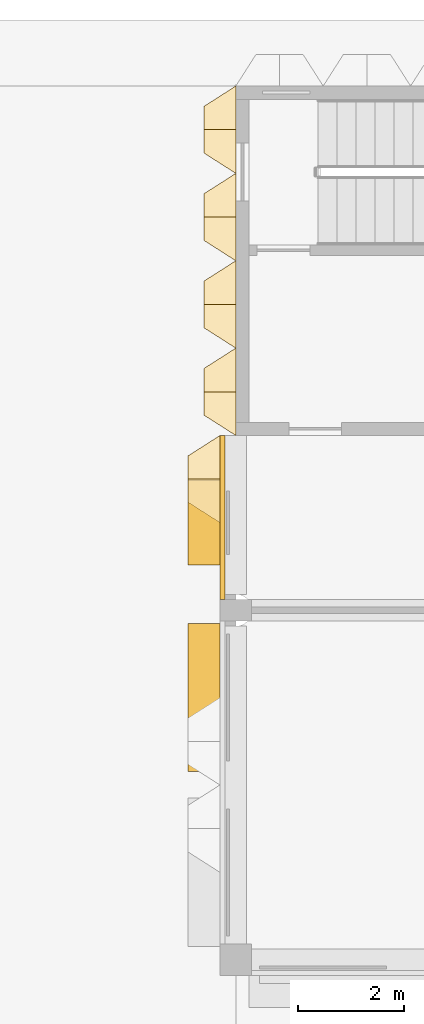
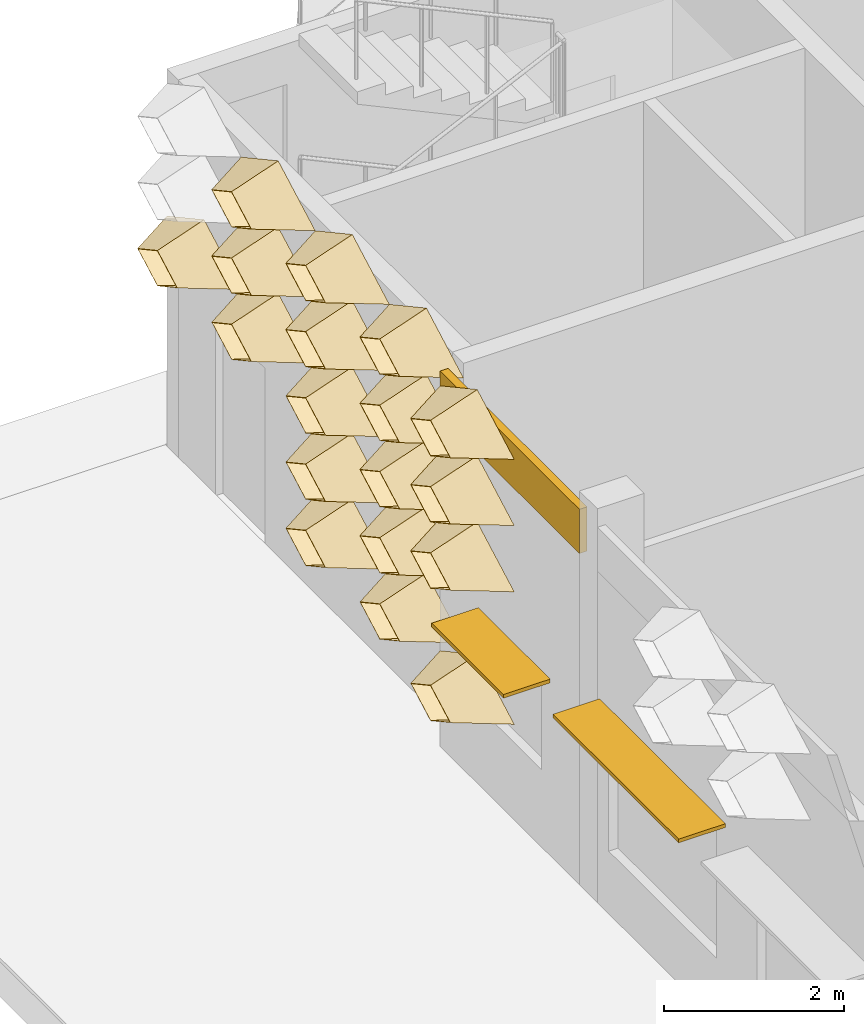
# One storey, part 73 of 85: 19 coverings, 2 shading devices.
"""IFC4 building model written with IfcOpenShell, lengths in metres."""

from ifc_helpers import new_model, entity, si_unit, direction, frame, frame_2d, origin, origin_2d, place, context, subcontext, project, spatial, rectangle, extrude, material, layer, layer_set, type_object, element, save


model = new_model("IFC4")

# Units and contexts
model_context = context("Model", 3, precision=1e-05, world=origin(), true_north=direction((0.0, 1.0)))
body_context = subcontext(model_context, "Body", "Model", "MODEL_VIEW")
ifc_project = project(units=[si_unit("LENGTHUNIT", "METRE"), si_unit("AREAUNIT", "SQUARE_METRE"), si_unit("VOLUMEUNIT", "CUBIC_METRE"), si_unit("PLANEANGLEUNIT", "RADIAN"), si_unit("MASSUNIT", "GRAM", prefix="KILO")], contexts=[model_context])

# Site, building, storey
site_placement = place(None, origin())
site = spatial("IfcSite", under=ifc_project, at=site_placement, CompositionType="ELEMENT")
building_placement = place(site_placement, origin())
building = spatial("IfcBuilding", under=site, at=building_placement, Name="Lantern Court Research Institute", CompositionType="ELEMENT")
storey_placement = place(building_placement, origin())
storey = spatial("IfcBuildingStorey", under=building, at=storey_placement, Name="L00", CompositionType="ELEMENT", Elevation=0.0)

# Shading devices
ifc_material_1 = material(Name="Aluminium alloy 6063-T6", Category="aluminium")
ifc_layer_1 = layer(ifc_material_1, 0.050048828125)
ifc_layer_set_1 = layer_set([ifc_layer_1], Name="Aluminium alloy 6063-T6")
shading_device_type_1 = type_object("IfcShadingDeviceType", Name="Brise-soleil blade 1600 x 600 x 50 aluminium", PredefinedType="USERDEFINED", material=ifc_layer_set_1)
shading_device_1_placement = place(storey_placement, frame((-0.60009765625, 90.75, 2.39990234375), z_axis=(0.0, 0.0, 1.0), x_axis=(0.0, 1.0, 0.0)))
element("IfcShadingDevice", 1, at=shading_device_1_placement, inside=storey, type_object=shading_device_type_1, Name="Brise-soleil blade L00 W", ObjectType="LOUVRE", PredefinedType="USERDEFINED", context=body_context, shape_type="SweptSolid", body=[
    extrude(rectangle(XDim=1.60009765625, YDim=0.60009765625, at=origin_2d()), origin(), (0.0, 0.0, 1.0), 0.050048828125),
])
ifc_material_2 = material(Name="Aluminium alloy 6063-T6", Category="aluminium")
ifc_layer_2 = layer(ifc_material_2, 0.050048828125)
ifc_layer_set_2 = layer_set([ifc_layer_2], Name="Aluminium alloy 6063-T6")
shading_device_type_2 = type_object("IfcShadingDeviceType", Name="Brise-soleil blade 2800 x 600 x 50 aluminium", PredefinedType="USERDEFINED", material=ifc_layer_set_2)
shading_device_2_placement = place(storey_placement, frame((-0.60009765625, 87.449951171875, 2.7998046875), z_axis=(0.0, 0.0, 1.0), x_axis=(0.0, 1.0, 0.0)))
element("IfcShadingDevice", 2, at=shading_device_2_placement, inside=storey, type_object=shading_device_type_2, Name="Brise-soleil blade L00 W", ObjectType="LOUVRE", PredefinedType="USERDEFINED", context=body_context, shape_type="SweptSolid", body=[
    extrude(rectangle(XDim=2.800048828125, YDim=0.60009765625, at=origin_2d()), origin(), (0.0, 0.0, 1.0), 0.050048828125),
])

# Coverings
ifc_material_3 = material(Name="Aluminium composite panel with mineral wool insulation", Category="aluminium")
ifc_layer_3 = layer(ifc_material_3, 0.10009765625)
ifc_layer_set_3 = layer_set([ifc_layer_3], Name="Aluminium composite panel with mineral wool insulation")
covering_type_1 = type_object("IfcCoveringType", Name="Edge fascia panel 100 aluminium faced", PredefinedType="CLADDING", material=ifc_layer_set_3)
covering_1_placement = place(storey_placement, frame((-0.25, 89.300048828125, 4.550048828125), z_axis=(0.0, 0.0, 1.0), x_axis=(0.0, 1.0, 0.0)))
element("IfcCovering", 3, at=covering_1_placement, inside=storey, type_object=covering_type_1, Name="Edge fascia V6W L00 02", PredefinedType="CLADDING", context=body_context, shape_type="SweptSolid", body=[
    extrude(rectangle(XDim=3.099853515625, YDim=0.10009765625, at=frame_2d((1.5498046875, 0.0))), origin(), (0.0, 0.0, 1.0), 0.599853515625),
])
ifc_material_4 = material(Name="Anodised aluminium", Category="aluminium")
ifc_layer_4 = layer(ifc_material_4, 0.01611328125)
ifc_layer_set_4 = layer_set([ifc_layer_4], Name="Anodised aluminium")
covering_type_2 = type_object("IfcCoveringType", Name="Fin cassette 1650 x 900 x 600 aluminium", PredefinedType="CLADDING", material=ifc_layer_set_4)
covering_2_placement = place(storey_placement, frame((0.0, 93.22509765625, 1.35009765625), z_axis=(-1.0, 0.0, 0.0), x_axis=(0.0, -1.0, 0.0)))
cartesian_point_1 = entity("IfcCartesianPoint", [0.824951171875, 0.0])
cartesian_point_2 = entity("IfcCartesianPoint", [0.79150390625, 0.0])
cartesian_point_3 = entity("IfcCartesianPoint", [0.44189453125, 0.0])
cartesian_point_4 = entity("IfcCartesianPoint", [0.43359375, 0.0])
element("IfcCovering", 4, at=covering_2_placement, inside=storey, type_object=covering_type_2, Name="Fin cassette V6W-L00 2.57", PredefinedType="CLADDING", context=body_context, shape_type="SweptSolid", body=[
    entity("IfcExtrudedAreaSolidTapered", entity("IfcArbitraryProfileDefWithVoids", "AREA", None, entity("IfcPolyline", [cartesian_point_1, entity("IfcCartesianPoint", [0.0, 0.449951171875]), entity("IfcCartesianPoint", [-0.824951171875, 0.0]), entity("IfcCartesianPoint", [0.0, -0.449951171875]), cartesian_point_1]), [entity("IfcPolyline", [cartesian_point_2, entity("IfcCartesianPoint", [0.0, 0.431884765625]), entity("IfcCartesianPoint", [-0.79150390625, 0.0]), entity("IfcCartesianPoint", [0.0, -0.431884765625]), cartesian_point_2])]), entity("IfcAxis2Placement3D", entity("IfcCartesianPoint", [0.0, 0.0, 0.0])), entity("IfcDirection", [0.0, 0.0, 1.0]), 0.60009765625, entity("IfcArbitraryProfileDefWithVoids", "AREA", None, entity("IfcPolyline", [cartesian_point_3, entity("IfcCartesianPoint", [0.0, 0.240966796875]), entity("IfcCartesianPoint", [-0.44189453125, 0.0]), entity("IfcCartesianPoint", [0.0, -0.240966796875]), cartesian_point_3]), [entity("IfcPolyline", [cartesian_point_4, entity("IfcCartesianPoint", [0.0, 0.236572265625]), entity("IfcCartesianPoint", [-0.43359375, 0.0]), entity("IfcCartesianPoint", [0.0, -0.236572265625]), cartesian_point_4])])),
])
covering_3_placement = place(storey_placement, frame((0.0, 94.875, 1.35009765625), z_axis=(-1.0, 0.0, 0.0), x_axis=(0.0, -1.0, 0.0)))
cartesian_point_5 = entity("IfcCartesianPoint", [0.824951171875, 0.0])
cartesian_point_6 = entity("IfcCartesianPoint", [0.79150390625, 0.0])
cartesian_point_7 = entity("IfcCartesianPoint", [0.44189453125, 0.0])
cartesian_point_8 = entity("IfcCartesianPoint", [0.43359375, 0.0])
element("IfcCovering", 5, at=covering_3_placement, inside=storey, type_object=covering_type_2, Name="Fin cassette V6W-L00 2.58", PredefinedType="CLADDING", context=body_context, shape_type="SweptSolid", body=[
    entity("IfcExtrudedAreaSolidTapered", entity("IfcArbitraryProfileDefWithVoids", "AREA", None, entity("IfcPolyline", [cartesian_point_5, entity("IfcCartesianPoint", [0.0, 0.449951171875]), entity("IfcCartesianPoint", [-0.824951171875, 0.0]), entity("IfcCartesianPoint", [0.0, -0.449951171875]), cartesian_point_5]), [entity("IfcPolyline", [cartesian_point_6, entity("IfcCartesianPoint", [0.0, 0.431884765625]), entity("IfcCartesianPoint", [-0.79150390625, 0.0]), entity("IfcCartesianPoint", [0.0, -0.431884765625]), cartesian_point_6])]), entity("IfcAxis2Placement3D", entity("IfcCartesianPoint", [0.0, 0.0, 0.0])), entity("IfcDirection", [0.0, 0.0, 1.0]), 0.60009765625, entity("IfcArbitraryProfileDefWithVoids", "AREA", None, entity("IfcPolyline", [cartesian_point_7, entity("IfcCartesianPoint", [0.0, 0.240966796875]), entity("IfcCartesianPoint", [-0.44189453125, 0.0]), entity("IfcCartesianPoint", [0.0, -0.240966796875]), cartesian_point_7]), [entity("IfcPolyline", [cartesian_point_8, entity("IfcCartesianPoint", [0.0, 0.236572265625]), entity("IfcCartesianPoint", [-0.43359375, 0.0]), entity("IfcCartesianPoint", [0.0, -0.236572265625]), cartesian_point_8])])),
])
covering_4_placement = place(storey_placement, frame((0.0, 93.22509765625, 2.25), z_axis=(-1.0, 0.0, 0.0), x_axis=(0.0, -1.0, 0.0)))
cartesian_point_9 = entity("IfcCartesianPoint", [0.824951171875, 0.0])
cartesian_point_10 = entity("IfcCartesianPoint", [0.79150390625, 0.0])
cartesian_point_11 = entity("IfcCartesianPoint", [0.44189453125, 0.0])
cartesian_point_12 = entity("IfcCartesianPoint", [0.43359375, 0.0])
element("IfcCovering", 6, at=covering_4_placement, inside=storey, type_object=covering_type_2, Name="Fin cassette V6W-L00 3.57", PredefinedType="CLADDING", context=body_context, shape_type="SweptSolid", body=[
    entity("IfcExtrudedAreaSolidTapered", entity("IfcArbitraryProfileDefWithVoids", "AREA", None, entity("IfcPolyline", [cartesian_point_9, entity("IfcCartesianPoint", [0.0, 0.449951171875]), entity("IfcCartesianPoint", [-0.824951171875, 0.0]), entity("IfcCartesianPoint", [0.0, -0.449951171875]), cartesian_point_9]), [entity("IfcPolyline", [cartesian_point_10, entity("IfcCartesianPoint", [0.0, 0.431884765625]), entity("IfcCartesianPoint", [-0.79150390625, 0.0]), entity("IfcCartesianPoint", [0.0, -0.431884765625]), cartesian_point_10])]), entity("IfcAxis2Placement3D", entity("IfcCartesianPoint", [0.0, 0.0, 0.0])), entity("IfcDirection", [0.0, 0.0, 1.0]), 0.60009765625, entity("IfcArbitraryProfileDefWithVoids", "AREA", None, entity("IfcPolyline", [cartesian_point_11, entity("IfcCartesianPoint", [0.0, 0.240966796875]), entity("IfcCartesianPoint", [-0.44189453125, 0.0]), entity("IfcCartesianPoint", [0.0, -0.240966796875]), cartesian_point_11]), [entity("IfcPolyline", [cartesian_point_12, entity("IfcCartesianPoint", [0.0, 0.236572265625]), entity("IfcCartesianPoint", [-0.43359375, 0.0]), entity("IfcCartesianPoint", [0.0, -0.236572265625]), cartesian_point_12])])),
])
covering_5_placement = place(storey_placement, frame((0.0, 94.875, 2.25), z_axis=(-1.0, 0.0, 0.0), x_axis=(0.0, -1.0, 0.0)))
cartesian_point_13 = entity("IfcCartesianPoint", [0.824951171875, 0.0])
cartesian_point_14 = entity("IfcCartesianPoint", [0.79150390625, 0.0])
cartesian_point_15 = entity("IfcCartesianPoint", [0.44189453125, 0.0])
cartesian_point_16 = entity("IfcCartesianPoint", [0.43359375, 0.0])
element("IfcCovering", 7, at=covering_5_placement, inside=storey, type_object=covering_type_2, Name="Fin cassette V6W-L00 3.58", PredefinedType="CLADDING", context=body_context, shape_type="SweptSolid", body=[
    entity("IfcExtrudedAreaSolidTapered", entity("IfcArbitraryProfileDefWithVoids", "AREA", None, entity("IfcPolyline", [cartesian_point_13, entity("IfcCartesianPoint", [0.0, 0.449951171875]), entity("IfcCartesianPoint", [-0.824951171875, 0.0]), entity("IfcCartesianPoint", [0.0, -0.449951171875]), cartesian_point_13]), [entity("IfcPolyline", [cartesian_point_14, entity("IfcCartesianPoint", [0.0, 0.431884765625]), entity("IfcCartesianPoint", [-0.79150390625, 0.0]), entity("IfcCartesianPoint", [0.0, -0.431884765625]), cartesian_point_14])]), entity("IfcAxis2Placement3D", entity("IfcCartesianPoint", [0.0, 0.0, 0.0])), entity("IfcDirection", [0.0, 0.0, 1.0]), 0.60009765625, entity("IfcArbitraryProfileDefWithVoids", "AREA", None, entity("IfcPolyline", [cartesian_point_15, entity("IfcCartesianPoint", [0.0, 0.240966796875]), entity("IfcCartesianPoint", [-0.44189453125, 0.0]), entity("IfcCartesianPoint", [0.0, -0.240966796875]), cartesian_point_15]), [entity("IfcPolyline", [cartesian_point_16, entity("IfcCartesianPoint", [0.0, 0.236572265625]), entity("IfcCartesianPoint", [-0.43359375, 0.0]), entity("IfcCartesianPoint", [0.0, -0.236572265625]), cartesian_point_16])])),
])
covering_6_placement = place(storey_placement, frame((0.0, 93.22509765625, 3.14990234375), z_axis=(-1.0, 0.0, 0.0), x_axis=(0.0, -1.0, 0.0)))
cartesian_point_17 = entity("IfcCartesianPoint", [0.824951171875, 0.0])
cartesian_point_18 = entity("IfcCartesianPoint", [0.79150390625, 0.0])
cartesian_point_19 = entity("IfcCartesianPoint", [0.44189453125, 0.0])
cartesian_point_20 = entity("IfcCartesianPoint", [0.43359375, 0.0])
element("IfcCovering", 8, at=covering_6_placement, inside=storey, type_object=covering_type_2, Name="Fin cassette V6W-L00 4.57", PredefinedType="CLADDING", context=body_context, shape_type="SweptSolid", body=[
    entity("IfcExtrudedAreaSolidTapered", entity("IfcArbitraryProfileDefWithVoids", "AREA", None, entity("IfcPolyline", [cartesian_point_17, entity("IfcCartesianPoint", [0.0, 0.449951171875]), entity("IfcCartesianPoint", [-0.824951171875, 0.0]), entity("IfcCartesianPoint", [0.0, -0.449951171875]), cartesian_point_17]), [entity("IfcPolyline", [cartesian_point_18, entity("IfcCartesianPoint", [0.0, 0.431884765625]), entity("IfcCartesianPoint", [-0.79150390625, 0.0]), entity("IfcCartesianPoint", [0.0, -0.431884765625]), cartesian_point_18])]), entity("IfcAxis2Placement3D", entity("IfcCartesianPoint", [0.0, 0.0, 0.0])), entity("IfcDirection", [0.0, 0.0, 1.0]), 0.60009765625, entity("IfcArbitraryProfileDefWithVoids", "AREA", None, entity("IfcPolyline", [cartesian_point_19, entity("IfcCartesianPoint", [0.0, 0.240966796875]), entity("IfcCartesianPoint", [-0.44189453125, 0.0]), entity("IfcCartesianPoint", [0.0, -0.240966796875]), cartesian_point_19]), [entity("IfcPolyline", [cartesian_point_20, entity("IfcCartesianPoint", [0.0, 0.236572265625]), entity("IfcCartesianPoint", [-0.43359375, 0.0]), entity("IfcCartesianPoint", [0.0, -0.236572265625]), cartesian_point_20])])),
])
covering_7_placement = place(storey_placement, frame((0.0, 94.875, 3.14990234375), z_axis=(-1.0, 0.0, 0.0), x_axis=(0.0, -1.0, 0.0)))
cartesian_point_21 = entity("IfcCartesianPoint", [0.824951171875, 0.0])
cartesian_point_22 = entity("IfcCartesianPoint", [0.79150390625, 0.0])
cartesian_point_23 = entity("IfcCartesianPoint", [0.44189453125, 0.0])
cartesian_point_24 = entity("IfcCartesianPoint", [0.43359375, 0.0])
element("IfcCovering", 9, at=covering_7_placement, inside=storey, type_object=covering_type_2, Name="Fin cassette V6W-L00 4.58", PredefinedType="CLADDING", context=body_context, shape_type="SweptSolid", body=[
    entity("IfcExtrudedAreaSolidTapered", entity("IfcArbitraryProfileDefWithVoids", "AREA", None, entity("IfcPolyline", [cartesian_point_21, entity("IfcCartesianPoint", [0.0, 0.449951171875]), entity("IfcCartesianPoint", [-0.824951171875, 0.0]), entity("IfcCartesianPoint", [0.0, -0.449951171875]), cartesian_point_21]), [entity("IfcPolyline", [cartesian_point_22, entity("IfcCartesianPoint", [0.0, 0.431884765625]), entity("IfcCartesianPoint", [-0.79150390625, 0.0]), entity("IfcCartesianPoint", [0.0, -0.431884765625]), cartesian_point_22])]), entity("IfcAxis2Placement3D", entity("IfcCartesianPoint", [0.0, 0.0, 0.0])), entity("IfcDirection", [0.0, 0.0, 1.0]), 0.60009765625, entity("IfcArbitraryProfileDefWithVoids", "AREA", None, entity("IfcPolyline", [cartesian_point_23, entity("IfcCartesianPoint", [0.0, 0.240966796875]), entity("IfcCartesianPoint", [-0.44189453125, 0.0]), entity("IfcCartesianPoint", [0.0, -0.240966796875]), cartesian_point_23]), [entity("IfcPolyline", [cartesian_point_24, entity("IfcCartesianPoint", [0.0, 0.236572265625]), entity("IfcCartesianPoint", [-0.43359375, 0.0]), entity("IfcCartesianPoint", [0.0, -0.236572265625]), cartesian_point_24])])),
])
covering_8_placement = place(storey_placement, frame((0.0, 96.52490234375, 3.14990234375), z_axis=(-1.0, 0.0, 0.0), x_axis=(0.0, -1.0, 0.0)))
cartesian_point_25 = entity("IfcCartesianPoint", [0.824951171875, 0.0])
cartesian_point_26 = entity("IfcCartesianPoint", [0.79150390625, 0.0])
cartesian_point_27 = entity("IfcCartesianPoint", [0.44189453125, 0.0])
cartesian_point_28 = entity("IfcCartesianPoint", [0.43359375, 0.0])
element("IfcCovering", 10, at=covering_8_placement, inside=storey, type_object=covering_type_2, Name="Fin cassette V6W-L00 4.59", PredefinedType="CLADDING", context=body_context, shape_type="SweptSolid", body=[
    entity("IfcExtrudedAreaSolidTapered", entity("IfcArbitraryProfileDefWithVoids", "AREA", None, entity("IfcPolyline", [cartesian_point_25, entity("IfcCartesianPoint", [0.0, 0.449951171875]), entity("IfcCartesianPoint", [-0.824951171875, 0.0]), entity("IfcCartesianPoint", [0.0, -0.449951171875]), cartesian_point_25]), [entity("IfcPolyline", [cartesian_point_26, entity("IfcCartesianPoint", [0.0, 0.431884765625]), entity("IfcCartesianPoint", [-0.79150390625, 0.0]), entity("IfcCartesianPoint", [0.0, -0.431884765625]), cartesian_point_26])]), entity("IfcAxis2Placement3D", entity("IfcCartesianPoint", [0.0, 0.0, 0.0])), entity("IfcDirection", [0.0, 0.0, 1.0]), 0.60009765625, entity("IfcArbitraryProfileDefWithVoids", "AREA", None, entity("IfcPolyline", [cartesian_point_27, entity("IfcCartesianPoint", [0.0, 0.240966796875]), entity("IfcCartesianPoint", [-0.44189453125, 0.0]), entity("IfcCartesianPoint", [0.0, -0.240966796875]), cartesian_point_27]), [entity("IfcPolyline", [cartesian_point_28, entity("IfcCartesianPoint", [0.0, 0.236572265625]), entity("IfcCartesianPoint", [-0.43359375, 0.0]), entity("IfcCartesianPoint", [0.0, -0.236572265625]), cartesian_point_28])])),
])
covering_9_placement = place(storey_placement, frame((0.0, 98.175048828125, 3.14990234375), z_axis=(-1.0, 0.0, 0.0), x_axis=(0.0, -1.0, 0.0)))
cartesian_point_29 = entity("IfcCartesianPoint", [0.824951171875, 0.0])
cartesian_point_30 = entity("IfcCartesianPoint", [0.79150390625, 0.0])
cartesian_point_31 = entity("IfcCartesianPoint", [0.44189453125, 0.0])
cartesian_point_32 = entity("IfcCartesianPoint", [0.43359375, 0.0])
element("IfcCovering", 11, at=covering_9_placement, inside=storey, type_object=covering_type_2, Name="Fin cassette V6W-L00 4.60", PredefinedType="CLADDING", context=body_context, shape_type="SweptSolid", body=[
    entity("IfcExtrudedAreaSolidTapered", entity("IfcArbitraryProfileDefWithVoids", "AREA", None, entity("IfcPolyline", [cartesian_point_29, entity("IfcCartesianPoint", [0.0, 0.449951171875]), entity("IfcCartesianPoint", [-0.824951171875, 0.0]), entity("IfcCartesianPoint", [0.0, -0.449951171875]), cartesian_point_29]), [entity("IfcPolyline", [cartesian_point_30, entity("IfcCartesianPoint", [0.0, 0.431884765625]), entity("IfcCartesianPoint", [-0.79150390625, 0.0]), entity("IfcCartesianPoint", [0.0, -0.431884765625]), cartesian_point_30])]), entity("IfcAxis2Placement3D", entity("IfcCartesianPoint", [0.0, 0.0, 0.0])), entity("IfcDirection", [0.0, 0.0, 1.0]), 0.60009765625, entity("IfcArbitraryProfileDefWithVoids", "AREA", None, entity("IfcPolyline", [cartesian_point_31, entity("IfcCartesianPoint", [0.0, 0.240966796875]), entity("IfcCartesianPoint", [-0.44189453125, 0.0]), entity("IfcCartesianPoint", [0.0, -0.240966796875]), cartesian_point_31]), [entity("IfcPolyline", [cartesian_point_32, entity("IfcCartesianPoint", [0.0, 0.236572265625]), entity("IfcCartesianPoint", [-0.43359375, 0.0]), entity("IfcCartesianPoint", [0.0, -0.236572265625]), cartesian_point_32])])),
])
covering_10_placement = place(storey_placement, frame((0.0, 93.22509765625, 4.050048828125), z_axis=(-1.0, 0.0, 0.0), x_axis=(0.0, -1.0, 0.0)))
cartesian_point_33 = entity("IfcCartesianPoint", [0.824951171875, 0.0])
cartesian_point_34 = entity("IfcCartesianPoint", [0.79150390625, 0.0])
cartesian_point_35 = entity("IfcCartesianPoint", [0.44189453125, 0.0])
cartesian_point_36 = entity("IfcCartesianPoint", [0.43359375, 0.0])
element("IfcCovering", 12, at=covering_10_placement, inside=storey, type_object=covering_type_2, Name="Fin cassette V6W-L00 5.57", PredefinedType="CLADDING", context=body_context, shape_type="SweptSolid", body=[
    entity("IfcExtrudedAreaSolidTapered", entity("IfcArbitraryProfileDefWithVoids", "AREA", None, entity("IfcPolyline", [cartesian_point_33, entity("IfcCartesianPoint", [0.0, 0.449951171875]), entity("IfcCartesianPoint", [-0.824951171875, 0.0]), entity("IfcCartesianPoint", [0.0, -0.449951171875]), cartesian_point_33]), [entity("IfcPolyline", [cartesian_point_34, entity("IfcCartesianPoint", [0.0, 0.431884765625]), entity("IfcCartesianPoint", [-0.79150390625, 0.0]), entity("IfcCartesianPoint", [0.0, -0.431884765625]), cartesian_point_34])]), entity("IfcAxis2Placement3D", entity("IfcCartesianPoint", [0.0, 0.0, 0.0])), entity("IfcDirection", [0.0, 0.0, 1.0]), 0.60009765625, entity("IfcArbitraryProfileDefWithVoids", "AREA", None, entity("IfcPolyline", [cartesian_point_35, entity("IfcCartesianPoint", [0.0, 0.240966796875]), entity("IfcCartesianPoint", [-0.44189453125, 0.0]), entity("IfcCartesianPoint", [0.0, -0.240966796875]), cartesian_point_35]), [entity("IfcPolyline", [cartesian_point_36, entity("IfcCartesianPoint", [0.0, 0.236572265625]), entity("IfcCartesianPoint", [-0.43359375, 0.0]), entity("IfcCartesianPoint", [0.0, -0.236572265625]), cartesian_point_36])])),
])
covering_11_placement = place(storey_placement, frame((0.0, 94.875, 4.050048828125), z_axis=(-1.0, 0.0, 0.0), x_axis=(0.0, -1.0, 0.0)))
cartesian_point_37 = entity("IfcCartesianPoint", [0.824951171875, 0.0])
cartesian_point_38 = entity("IfcCartesianPoint", [0.79150390625, 0.0])
cartesian_point_39 = entity("IfcCartesianPoint", [0.44189453125, 0.0])
cartesian_point_40 = entity("IfcCartesianPoint", [0.43359375, 0.0])
element("IfcCovering", 13, at=covering_11_placement, inside=storey, type_object=covering_type_2, Name="Fin cassette V6W-L00 5.58", PredefinedType="CLADDING", context=body_context, shape_type="SweptSolid", body=[
    entity("IfcExtrudedAreaSolidTapered", entity("IfcArbitraryProfileDefWithVoids", "AREA", None, entity("IfcPolyline", [cartesian_point_37, entity("IfcCartesianPoint", [0.0, 0.449951171875]), entity("IfcCartesianPoint", [-0.824951171875, 0.0]), entity("IfcCartesianPoint", [0.0, -0.449951171875]), cartesian_point_37]), [entity("IfcPolyline", [cartesian_point_38, entity("IfcCartesianPoint", [0.0, 0.431884765625]), entity("IfcCartesianPoint", [-0.79150390625, 0.0]), entity("IfcCartesianPoint", [0.0, -0.431884765625]), cartesian_point_38])]), entity("IfcAxis2Placement3D", entity("IfcCartesianPoint", [0.0, 0.0, 0.0])), entity("IfcDirection", [0.0, 0.0, 1.0]), 0.60009765625, entity("IfcArbitraryProfileDefWithVoids", "AREA", None, entity("IfcPolyline", [cartesian_point_39, entity("IfcCartesianPoint", [0.0, 0.240966796875]), entity("IfcCartesianPoint", [-0.44189453125, 0.0]), entity("IfcCartesianPoint", [0.0, -0.240966796875]), cartesian_point_39]), [entity("IfcPolyline", [cartesian_point_40, entity("IfcCartesianPoint", [0.0, 0.236572265625]), entity("IfcCartesianPoint", [-0.43359375, 0.0]), entity("IfcCartesianPoint", [0.0, -0.236572265625]), cartesian_point_40])])),
])
covering_12_placement = place(storey_placement, frame((0.0, 96.52490234375, 4.050048828125), z_axis=(-1.0, 0.0, 0.0), x_axis=(0.0, -1.0, 0.0)))
cartesian_point_41 = entity("IfcCartesianPoint", [0.824951171875, 0.0])
cartesian_point_42 = entity("IfcCartesianPoint", [0.79150390625, 0.0])
cartesian_point_43 = entity("IfcCartesianPoint", [0.44189453125, 0.0])
cartesian_point_44 = entity("IfcCartesianPoint", [0.43359375, 0.0])
element("IfcCovering", 14, at=covering_12_placement, inside=storey, type_object=covering_type_2, Name="Fin cassette V6W-L00 5.59", PredefinedType="CLADDING", context=body_context, shape_type="SweptSolid", body=[
    entity("IfcExtrudedAreaSolidTapered", entity("IfcArbitraryProfileDefWithVoids", "AREA", None, entity("IfcPolyline", [cartesian_point_41, entity("IfcCartesianPoint", [0.0, 0.449951171875]), entity("IfcCartesianPoint", [-0.824951171875, 0.0]), entity("IfcCartesianPoint", [0.0, -0.449951171875]), cartesian_point_41]), [entity("IfcPolyline", [cartesian_point_42, entity("IfcCartesianPoint", [0.0, 0.431884765625]), entity("IfcCartesianPoint", [-0.79150390625, 0.0]), entity("IfcCartesianPoint", [0.0, -0.431884765625]), cartesian_point_42])]), entity("IfcAxis2Placement3D", entity("IfcCartesianPoint", [0.0, 0.0, 0.0])), entity("IfcDirection", [0.0, 0.0, 1.0]), 0.60009765625, entity("IfcArbitraryProfileDefWithVoids", "AREA", None, entity("IfcPolyline", [cartesian_point_43, entity("IfcCartesianPoint", [0.0, 0.240966796875]), entity("IfcCartesianPoint", [-0.44189453125, 0.0]), entity("IfcCartesianPoint", [0.0, -0.240966796875]), cartesian_point_43]), [entity("IfcPolyline", [cartesian_point_44, entity("IfcCartesianPoint", [0.0, 0.236572265625]), entity("IfcCartesianPoint", [-0.43359375, 0.0]), entity("IfcCartesianPoint", [0.0, -0.236572265625]), cartesian_point_44])])),
])
covering_13_placement = place(storey_placement, frame((0.0, 93.22509765625, 4.949951171875), z_axis=(-1.0, 0.0, 0.0), x_axis=(0.0, -1.0, 0.0)))
cartesian_point_45 = entity("IfcCartesianPoint", [0.824951171875, 0.0])
cartesian_point_46 = entity("IfcCartesianPoint", [0.79150390625, 0.0])
cartesian_point_47 = entity("IfcCartesianPoint", [0.44189453125, 0.0])
cartesian_point_48 = entity("IfcCartesianPoint", [0.43359375, 0.0])
element("IfcCovering", 15, at=covering_13_placement, inside=storey, type_object=covering_type_2, Name="Fin cassette V6W-L00 6.57", PredefinedType="CLADDING", context=body_context, shape_type="SweptSolid", body=[
    entity("IfcExtrudedAreaSolidTapered", entity("IfcArbitraryProfileDefWithVoids", "AREA", None, entity("IfcPolyline", [cartesian_point_45, entity("IfcCartesianPoint", [0.0, 0.449951171875]), entity("IfcCartesianPoint", [-0.824951171875, 0.0]), entity("IfcCartesianPoint", [0.0, -0.449951171875]), cartesian_point_45]), [entity("IfcPolyline", [cartesian_point_46, entity("IfcCartesianPoint", [0.0, 0.431884765625]), entity("IfcCartesianPoint", [-0.79150390625, 0.0]), entity("IfcCartesianPoint", [0.0, -0.431884765625]), cartesian_point_46])]), entity("IfcAxis2Placement3D", entity("IfcCartesianPoint", [0.0, 0.0, 0.0])), entity("IfcDirection", [0.0, 0.0, 1.0]), 0.60009765625, entity("IfcArbitraryProfileDefWithVoids", "AREA", None, entity("IfcPolyline", [cartesian_point_47, entity("IfcCartesianPoint", [0.0, 0.240966796875]), entity("IfcCartesianPoint", [-0.44189453125, 0.0]), entity("IfcCartesianPoint", [0.0, -0.240966796875]), cartesian_point_47]), [entity("IfcPolyline", [cartesian_point_48, entity("IfcCartesianPoint", [0.0, 0.236572265625]), entity("IfcCartesianPoint", [-0.43359375, 0.0]), entity("IfcCartesianPoint", [0.0, -0.236572265625]), cartesian_point_48])])),
])
covering_14_placement = place(storey_placement, frame((0.0, 94.875, 4.949951171875), z_axis=(-1.0, 0.0, 0.0), x_axis=(0.0, -1.0, 0.0)))
cartesian_point_49 = entity("IfcCartesianPoint", [0.824951171875, 0.0])
cartesian_point_50 = entity("IfcCartesianPoint", [0.79150390625, 0.0])
cartesian_point_51 = entity("IfcCartesianPoint", [0.44189453125, 0.0])
cartesian_point_52 = entity("IfcCartesianPoint", [0.43359375, 0.0])
element("IfcCovering", 16, at=covering_14_placement, inside=storey, type_object=covering_type_2, Name="Fin cassette V6W-L00 6.58", PredefinedType="CLADDING", context=body_context, shape_type="SweptSolid", body=[
    entity("IfcExtrudedAreaSolidTapered", entity("IfcArbitraryProfileDefWithVoids", "AREA", None, entity("IfcPolyline", [cartesian_point_49, entity("IfcCartesianPoint", [0.0, 0.449951171875]), entity("IfcCartesianPoint", [-0.824951171875, 0.0]), entity("IfcCartesianPoint", [0.0, -0.449951171875]), cartesian_point_49]), [entity("IfcPolyline", [cartesian_point_50, entity("IfcCartesianPoint", [0.0, 0.431884765625]), entity("IfcCartesianPoint", [-0.79150390625, 0.0]), entity("IfcCartesianPoint", [0.0, -0.431884765625]), cartesian_point_50])]), entity("IfcAxis2Placement3D", entity("IfcCartesianPoint", [0.0, 0.0, 0.0])), entity("IfcDirection", [0.0, 0.0, 1.0]), 0.60009765625, entity("IfcArbitraryProfileDefWithVoids", "AREA", None, entity("IfcPolyline", [cartesian_point_51, entity("IfcCartesianPoint", [0.0, 0.240966796875]), entity("IfcCartesianPoint", [-0.44189453125, 0.0]), entity("IfcCartesianPoint", [0.0, -0.240966796875]), cartesian_point_51]), [entity("IfcPolyline", [cartesian_point_52, entity("IfcCartesianPoint", [0.0, 0.236572265625]), entity("IfcCartesianPoint", [-0.43359375, 0.0]), entity("IfcCartesianPoint", [0.0, -0.236572265625]), cartesian_point_52])])),
])
covering_15_placement = place(storey_placement, frame((0.0, 96.52490234375, 4.949951171875), z_axis=(-1.0, 0.0, 0.0), x_axis=(0.0, -1.0, 0.0)))
cartesian_point_53 = entity("IfcCartesianPoint", [0.824951171875, 0.0])
cartesian_point_54 = entity("IfcCartesianPoint", [0.79150390625, 0.0])
cartesian_point_55 = entity("IfcCartesianPoint", [0.44189453125, 0.0])
cartesian_point_56 = entity("IfcCartesianPoint", [0.43359375, 0.0])
element("IfcCovering", 17, at=covering_15_placement, inside=storey, type_object=covering_type_2, Name="Fin cassette V6W-L00 6.59", PredefinedType="CLADDING", context=body_context, shape_type="SweptSolid", body=[
    entity("IfcExtrudedAreaSolidTapered", entity("IfcArbitraryProfileDefWithVoids", "AREA", None, entity("IfcPolyline", [cartesian_point_53, entity("IfcCartesianPoint", [0.0, 0.449951171875]), entity("IfcCartesianPoint", [-0.824951171875, 0.0]), entity("IfcCartesianPoint", [0.0, -0.449951171875]), cartesian_point_53]), [entity("IfcPolyline", [cartesian_point_54, entity("IfcCartesianPoint", [0.0, 0.431884765625]), entity("IfcCartesianPoint", [-0.79150390625, 0.0]), entity("IfcCartesianPoint", [0.0, -0.431884765625]), cartesian_point_54])]), entity("IfcAxis2Placement3D", entity("IfcCartesianPoint", [0.0, 0.0, 0.0])), entity("IfcDirection", [0.0, 0.0, 1.0]), 0.60009765625, entity("IfcArbitraryProfileDefWithVoids", "AREA", None, entity("IfcPolyline", [cartesian_point_55, entity("IfcCartesianPoint", [0.0, 0.240966796875]), entity("IfcCartesianPoint", [-0.44189453125, 0.0]), entity("IfcCartesianPoint", [0.0, -0.240966796875]), cartesian_point_55]), [entity("IfcPolyline", [cartesian_point_56, entity("IfcCartesianPoint", [0.0, 0.236572265625]), entity("IfcCartesianPoint", [-0.43359375, 0.0]), entity("IfcCartesianPoint", [0.0, -0.236572265625]), cartesian_point_56])])),
])
covering_16_placement = place(storey_placement, frame((-0.300048828125, 91.574951171875, 1.35009765625), z_axis=(-1.0, 0.0, 0.0), x_axis=(0.0, -1.0, 0.0)))
cartesian_point_57 = entity("IfcCartesianPoint", [0.824951171875, 0.0])
cartesian_point_58 = entity("IfcCartesianPoint", [0.79150390625, 0.0])
cartesian_point_59 = entity("IfcCartesianPoint", [0.44189453125, 0.0])
cartesian_point_60 = entity("IfcCartesianPoint", [0.43359375, 0.0])
element("IfcCovering", 18, at=covering_16_placement, inside=storey, type_object=covering_type_2, Name="Fin cassette V6W-L00 2.56", PredefinedType="CLADDING", context=body_context, shape_type="SweptSolid", body=[
    entity("IfcExtrudedAreaSolidTapered", entity("IfcArbitraryProfileDefWithVoids", "AREA", None, entity("IfcPolyline", [cartesian_point_57, entity("IfcCartesianPoint", [0.0, 0.449951171875]), entity("IfcCartesianPoint", [-0.824951171875, 0.0]), entity("IfcCartesianPoint", [0.0, -0.449951171875]), cartesian_point_57]), [entity("IfcPolyline", [cartesian_point_58, entity("IfcCartesianPoint", [0.0, 0.431884765625]), entity("IfcCartesianPoint", [-0.79150390625, 0.0]), entity("IfcCartesianPoint", [0.0, -0.431884765625]), cartesian_point_58])]), entity("IfcAxis2Placement3D", entity("IfcCartesianPoint", [0.0, 0.0, 0.0])), entity("IfcDirection", [0.0, 0.0, 1.0]), 0.60009765625, entity("IfcArbitraryProfileDefWithVoids", "AREA", None, entity("IfcPolyline", [cartesian_point_59, entity("IfcCartesianPoint", [0.0, 0.240966796875]), entity("IfcCartesianPoint", [-0.44189453125, 0.0]), entity("IfcCartesianPoint", [0.0, -0.240966796875]), cartesian_point_59]), [entity("IfcPolyline", [cartesian_point_60, entity("IfcCartesianPoint", [0.0, 0.236572265625]), entity("IfcCartesianPoint", [-0.43359375, 0.0]), entity("IfcCartesianPoint", [0.0, -0.236572265625]), cartesian_point_60])])),
])
covering_17_placement = place(storey_placement, frame((-0.300048828125, 91.574951171875, 3.14990234375), z_axis=(-1.0, 0.0, 0.0), x_axis=(0.0, -1.0, 0.0)))
cartesian_point_61 = entity("IfcCartesianPoint", [0.824951171875, 0.0])
cartesian_point_62 = entity("IfcCartesianPoint", [0.79150390625, 0.0])
cartesian_point_63 = entity("IfcCartesianPoint", [0.44189453125, 0.0])
cartesian_point_64 = entity("IfcCartesianPoint", [0.43359375, 0.0])
element("IfcCovering", 19, at=covering_17_placement, inside=storey, type_object=covering_type_2, Name="Fin cassette V6W-L00 4.56", PredefinedType="CLADDING", context=body_context, shape_type="SweptSolid", body=[
    entity("IfcExtrudedAreaSolidTapered", entity("IfcArbitraryProfileDefWithVoids", "AREA", None, entity("IfcPolyline", [cartesian_point_61, entity("IfcCartesianPoint", [0.0, 0.449951171875]), entity("IfcCartesianPoint", [-0.824951171875, 0.0]), entity("IfcCartesianPoint", [0.0, -0.449951171875]), cartesian_point_61]), [entity("IfcPolyline", [cartesian_point_62, entity("IfcCartesianPoint", [0.0, 0.431884765625]), entity("IfcCartesianPoint", [-0.79150390625, 0.0]), entity("IfcCartesianPoint", [0.0, -0.431884765625]), cartesian_point_62])]), entity("IfcAxis2Placement3D", entity("IfcCartesianPoint", [0.0, 0.0, 0.0])), entity("IfcDirection", [0.0, 0.0, 1.0]), 0.60009765625, entity("IfcArbitraryProfileDefWithVoids", "AREA", None, entity("IfcPolyline", [cartesian_point_63, entity("IfcCartesianPoint", [0.0, 0.240966796875]), entity("IfcCartesianPoint", [-0.44189453125, 0.0]), entity("IfcCartesianPoint", [0.0, -0.240966796875]), cartesian_point_63]), [entity("IfcPolyline", [cartesian_point_64, entity("IfcCartesianPoint", [0.0, 0.236572265625]), entity("IfcCartesianPoint", [-0.43359375, 0.0]), entity("IfcCartesianPoint", [0.0, -0.236572265625]), cartesian_point_64])])),
])
covering_18_placement = place(storey_placement, frame((-0.300048828125, 91.574951171875, 4.050048828125), z_axis=(-1.0, 0.0, 0.0), x_axis=(0.0, -1.0, 0.0)))
cartesian_point_65 = entity("IfcCartesianPoint", [0.824951171875, 0.0])
cartesian_point_66 = entity("IfcCartesianPoint", [0.79150390625, 0.0])
cartesian_point_67 = entity("IfcCartesianPoint", [0.44189453125, 0.0])
cartesian_point_68 = entity("IfcCartesianPoint", [0.43359375, 0.0])
element("IfcCovering", 20, at=covering_18_placement, inside=storey, type_object=covering_type_2, Name="Fin cassette V6W-L00 5.56", PredefinedType="CLADDING", context=body_context, shape_type="SweptSolid", body=[
    entity("IfcExtrudedAreaSolidTapered", entity("IfcArbitraryProfileDefWithVoids", "AREA", None, entity("IfcPolyline", [cartesian_point_65, entity("IfcCartesianPoint", [0.0, 0.449951171875]), entity("IfcCartesianPoint", [-0.824951171875, 0.0]), entity("IfcCartesianPoint", [0.0, -0.449951171875]), cartesian_point_65]), [entity("IfcPolyline", [cartesian_point_66, entity("IfcCartesianPoint", [0.0, 0.431884765625]), entity("IfcCartesianPoint", [-0.79150390625, 0.0]), entity("IfcCartesianPoint", [0.0, -0.431884765625]), cartesian_point_66])]), entity("IfcAxis2Placement3D", entity("IfcCartesianPoint", [0.0, 0.0, 0.0])), entity("IfcDirection", [0.0, 0.0, 1.0]), 0.60009765625, entity("IfcArbitraryProfileDefWithVoids", "AREA", None, entity("IfcPolyline", [cartesian_point_67, entity("IfcCartesianPoint", [0.0, 0.240966796875]), entity("IfcCartesianPoint", [-0.44189453125, 0.0]), entity("IfcCartesianPoint", [0.0, -0.240966796875]), cartesian_point_67]), [entity("IfcPolyline", [cartesian_point_68, entity("IfcCartesianPoint", [0.0, 0.236572265625]), entity("IfcCartesianPoint", [-0.43359375, 0.0]), entity("IfcCartesianPoint", [0.0, -0.236572265625]), cartesian_point_68])])),
])
covering_19_placement = place(storey_placement, frame((-0.300048828125, 91.574951171875, 4.949951171875), z_axis=(-1.0, 0.0, 0.0), x_axis=(0.0, -1.0, 0.0)))
cartesian_point_69 = entity("IfcCartesianPoint", [0.824951171875, 0.0])
cartesian_point_70 = entity("IfcCartesianPoint", [0.79150390625, 0.0])
cartesian_point_71 = entity("IfcCartesianPoint", [0.44189453125, 0.0])
cartesian_point_72 = entity("IfcCartesianPoint", [0.43359375, 0.0])
element("IfcCovering", 21, at=covering_19_placement, inside=storey, type_object=covering_type_2, Name="Fin cassette V6W-L00 6.56", PredefinedType="CLADDING", context=body_context, shape_type="SweptSolid", body=[
    entity("IfcExtrudedAreaSolidTapered", entity("IfcArbitraryProfileDefWithVoids", "AREA", None, entity("IfcPolyline", [cartesian_point_69, entity("IfcCartesianPoint", [0.0, 0.449951171875]), entity("IfcCartesianPoint", [-0.824951171875, 0.0]), entity("IfcCartesianPoint", [0.0, -0.449951171875]), cartesian_point_69]), [entity("IfcPolyline", [cartesian_point_70, entity("IfcCartesianPoint", [0.0, 0.431884765625]), entity("IfcCartesianPoint", [-0.79150390625, 0.0]), entity("IfcCartesianPoint", [0.0, -0.431884765625]), cartesian_point_70])]), entity("IfcAxis2Placement3D", entity("IfcCartesianPoint", [0.0, 0.0, 0.0])), entity("IfcDirection", [0.0, 0.0, 1.0]), 0.60009765625, entity("IfcArbitraryProfileDefWithVoids", "AREA", None, entity("IfcPolyline", [cartesian_point_71, entity("IfcCartesianPoint", [0.0, 0.240966796875]), entity("IfcCartesianPoint", [-0.44189453125, 0.0]), entity("IfcCartesianPoint", [0.0, -0.240966796875]), cartesian_point_71]), [entity("IfcPolyline", [cartesian_point_72, entity("IfcCartesianPoint", [0.0, 0.236572265625]), entity("IfcCartesianPoint", [-0.43359375, 0.0]), entity("IfcCartesianPoint", [0.0, -0.236572265625]), cartesian_point_72])])),
])

save(model, "model.ifc")
